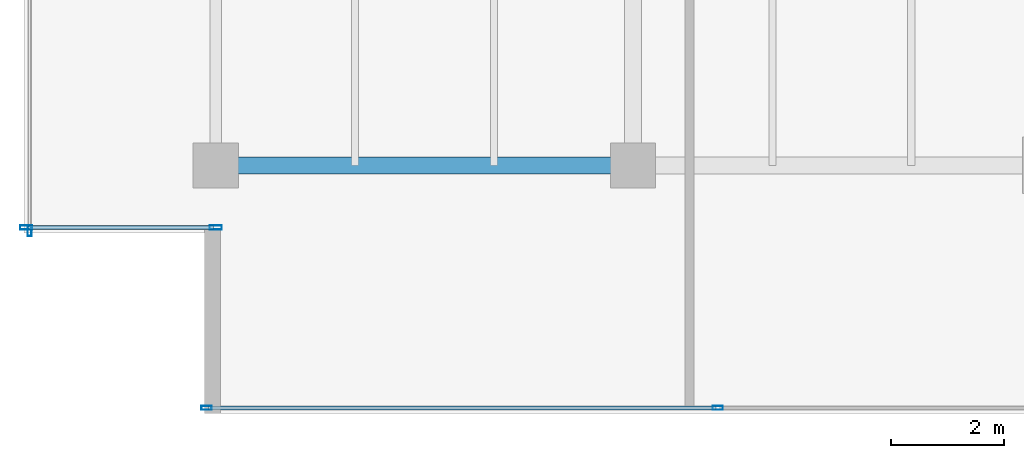
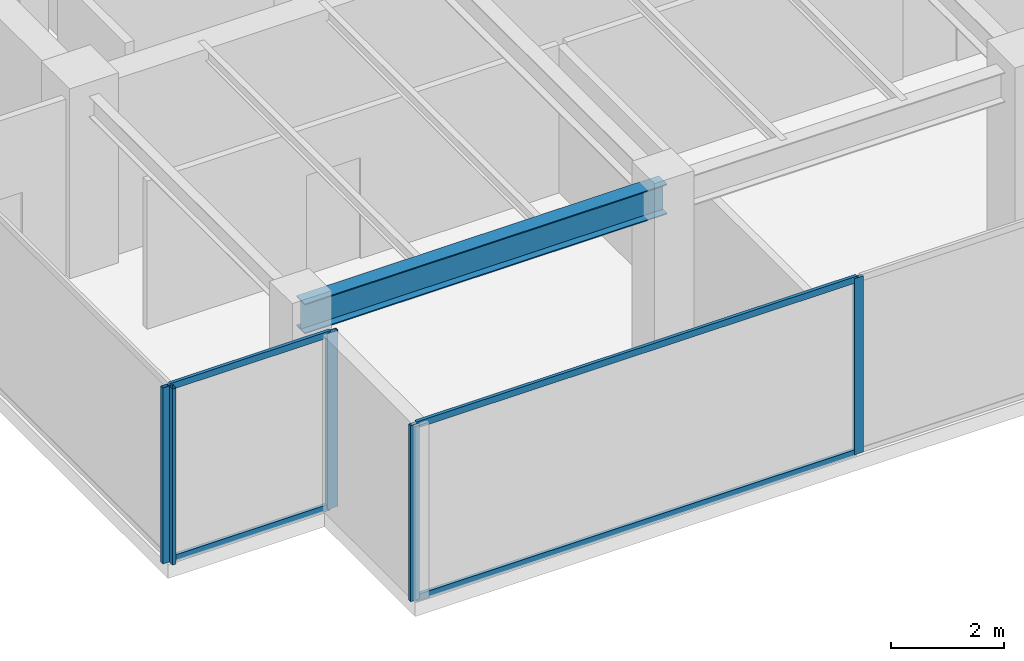
# One storey, part 5 of 33: 9 members, 1 beam, 3 elements without a shape of their own.
"""IFC4 building model written with IfcOpenShell, lengths in metres."""

from ifc_helpers import new_model, si_unit, direction, frame, origin, origin_2d, place, context, subcontext, project, spatial, hollow_rectangle, i_section, extrude, source, transform, mapped, material, layer, layer_set, material_profile, profile_set, type_object, type_shapes, element, aggregate, save


model = new_model("IFC4")

# Units and contexts
model_context = context("Model", 3, precision=1e-05, world=origin(), true_north=direction((0.0, 1.0)))
body_context = subcontext(model_context, "Body", "Model", "MODEL_VIEW")
ifc_project = project(units=[si_unit("LENGTHUNIT", "METRE"), si_unit("AREAUNIT", "SQUARE_METRE"), si_unit("VOLUMEUNIT", "CUBIC_METRE"), si_unit("PLANEANGLEUNIT", "RADIAN"), si_unit("MASSUNIT", "GRAM", prefix="KILO")], contexts=[model_context])

# Site, building, storey
site_placement = place(None, origin())
site = spatial("IfcSite", under=ifc_project, at=site_placement, CompositionType="ELEMENT")
building_placement = place(site_placement, origin())
building = spatial("IfcBuilding", under=site, at=building_placement, Name="Haelvirn Gate Laboratories", CompositionType="ELEMENT")
storey_placement = place(building_placement, frame((0.0, 0.0, 279.300048828125)))
storey = spatial("IfcBuildingStorey", under=building, at=storey_placement, Name="L67", CompositionType="ELEMENT", Elevation=279.300048828125)

# Beam
ifc_material_1 = material(Name="Steel SM355", Category="steel")
ifc_material_profile_1 = material_profile(ifc_material_1, i_section(OverallWidth=0.300048828125, OverallDepth=0.64990234375, WebThickness=0.012939453125, FlangeThickness=0.02197265625, at=origin_2d()), Name="H-650x300x13x22")
ifc_profile_set_1 = profile_set([ifc_material_profile_1], Name="Steel SM355")
beam_type = type_object("IfcBeamType", Name="BM-G-650", PredefinedType="BEAM", material=ifc_profile_set_1)
shared_shape_1 = source(origin(), body_context, "Body", "SweptSolid", [
    extrude(i_section(OverallWidth=0.300048828125, OverallDepth=0.64990234375, WebThickness=0.012939453125, FlangeThickness=0.02197265625, at=origin_2d()), origin(), (0.0, 0.0, 1.0), 7.400146484375),
])
type_shapes(beam_type, [shared_shape_1])
beam_placement = place(storey_placement, frame((7.39990234375, 7.0, 3.474853515625), z_axis=(1.0, 0.0, 0.0), x_axis=(0.0, 1.0, 0.0)))
element("IfcBeam", 1, at=beam_placement, inside=storey, type_object=beam_type, Name="L67 Primary Girder Y7.0 (7.4-14.8)", PredefinedType="BEAM", context=body_context, shape_type="MappedRepresentation", body=[
    mapped(shared_shape_1, transform((0.0, 0.0, 0.0), scale=1.0)),
])

# Curtain wall, members
ifc_material_2 = material(Name="Anodised bronze unitised aluminium & triple low-E glass", Category="aluminium")
ifc_layer_1 = layer(ifc_material_2, 0.181884765625, Name="CW-SYS-5")
ifc_layer_set_1 = layer_set([ifc_layer_1], Name="Anodised bronze unitised aluminium & triple low-E glass")
curtain_wall_type_1 = type_object("IfcCurtainWallType", Name="CW-SYS-5", PredefinedType="NOTDEFINED", material=ifc_layer_set_1)
curtain_wall_1_placement = place(storey_placement, origin())
curtain_wall_1 = element("IfcCurtainWall", 2, at=curtain_wall_1_placement, inside=storey, type_object=curtain_wall_type_1, Name="L67 Unitised Curtain Wall CW-L67-P0-E18-1", PredefinedType="NOTDEFINED")
ifc_material_3 = material(Name="Extruded aluminium 6063-T6 (anodised bronze)", Category="aluminium")
ifc_material_profile_2 = material_profile(ifc_material_3, hollow_rectangle(XDim=0.06494140625, YDim=0.139892578125, WallThickness=0.00390625, at=origin_2d()), Name="CWT-140x65x4")
ifc_profile_set_2 = profile_set([ifc_material_profile_2], Name="Extruded aluminium 6063-T6 (anodised bronze)")
member_type_1 = type_object("IfcMemberType", Name="CWT-T140", PredefinedType="USERDEFINED", material=ifc_profile_set_2)
shared_shape_2 = source(origin(), body_context, "Body", "SweptSolid", [
    extrude(hollow_rectangle(XDim=0.06494140625, YDim=0.139892578125, WallThickness=0.00390625, at=origin_2d()), origin(), (0.0, 0.0, 1.0), 3.280029296875),
])
member_1_placement = place(storey_placement, frame((4.080078125, 5.89990234375, 0.032470703125), z_axis=(1.0, 0.0, 0.0), x_axis=(0.0, 1.0, 0.0)))
member_1 = element("IfcMember", 3, at=member_1_placement, type_object=member_type_1, Name="CW5 transom 1.1", ObjectType="TRANSOM", PredefinedType="USERDEFINED", context=body_context, shape_type="MappedRepresentation", body=[
    mapped(shared_shape_2, transform((0.0, 0.0, 0.0), scale=1.0)),
])
member_2_placement = place(storey_placement, frame((4.080078125, 5.89990234375, 3.767333984375), z_axis=(1.0, 0.0, 0.0), x_axis=(0.0, 1.0, 0.0)))
member_2 = element("IfcMember", 4, at=member_2_placement, type_object=member_type_1, Name="CW5 transom 1.2", ObjectType="TRANSOM", PredefinedType="USERDEFINED", context=body_context, shape_type="MappedRepresentation", body=[
    mapped(shared_shape_2, transform((0.0, 0.0, 0.0), scale=1.0)),
])

ifc_layer_2 = layer(ifc_material_2, 0.176025390625, Name="CW-SYS-4")
ifc_layer_set_2 = layer_set([ifc_layer_2], Name="Anodised bronze unitised aluminium & triple low-E glass")
curtain_wall_type_2 = type_object("IfcCurtainWallType", Name="CW-SYS-4", PredefinedType="NOTDEFINED", material=ifc_layer_set_2)
curtain_wall_2_placement = place(storey_placement, origin())
curtain_wall_2 = element("IfcCurtainWall", 5, at=curtain_wall_2_placement, inside=storey, type_object=curtain_wall_type_2, Name="L67 Unitised Curtain Wall CW-L67-P0-E00-1", PredefinedType="NOTDEFINED")
ifc_material_profile_3 = material_profile(ifc_material_3, hollow_rectangle(XDim=0.070068359375, YDim=0.179931640625, WallThickness=0.0048828125, at=origin_2d()), Name="CWM-180x70x5")
ifc_profile_set_3 = profile_set([ifc_material_profile_3], Name="Extruded aluminium 6063-T6 (anodised bronze)")
member_type_2 = type_object("IfcMemberType", Name="CWM-T180", PredefinedType="MULLION", material=ifc_profile_set_3)
shared_shape_3 = source(origin(), body_context, "Body", "SweptSolid", [
    extrude(hollow_rectangle(XDim=0.070068359375, YDim=0.179931640625, WallThickness=0.0048828125, at=origin_2d()), origin(), (0.0, 0.0, 1.0), 3.800048828125),
])
type_shapes(member_type_2, [shared_shape_3])
member_3_placement = place(storey_placement, frame((7.235107421875, 2.699951171875, 0.0), z_axis=(0.0, 0.0, 1.0), x_axis=(0.0, 1.0, 0.0)))
member_3 = element("IfcMember", 6, at=member_3_placement, type_object=member_type_2, Name="CW4 mullion 1", PredefinedType="MULLION", context=body_context, shape_type="MappedRepresentation", body=[
    mapped(shared_shape_3, transform((0.0, 0.0, 0.0), scale=1.0)),
])
member_4_placement = place(storey_placement, frame((16.300048828125, 2.699951171875, 0.0), z_axis=(0.0, 0.0, 1.0), x_axis=(0.0, 1.0, 0.0)))
member_4 = element("IfcMember", 7, at=member_4_placement, type_object=member_type_2, Name="CW4 mullion 2", PredefinedType="MULLION", context=body_context, shape_type="MappedRepresentation", body=[
    mapped(shared_shape_3, transform((0.0, 0.0, 0.0), scale=1.0)),
])

# Curtain wall, member
curtain_wall_3_placement = place(storey_placement, origin())
curtain_wall_3 = element("IfcCurtainWall", 8, at=curtain_wall_3_placement, inside=storey, type_object=curtain_wall_type_2, Name="L67 Unitised Curtain Wall CW-L67-P0-E17", PredefinedType="NOTDEFINED")
member_5_placement = place(storey_placement, frame((4.10009765625, 5.8349609375, 0.0), z_axis=(0.0, 0.0, 1.0), x_axis=(1.0, 0.0, 0.0)))
member_5 = element("IfcMember", 9, at=member_5_placement, type_object=member_type_2, Name="CW4 mullion 3", PredefinedType="MULLION", context=body_context, shape_type="MappedRepresentation", body=[
    mapped(shared_shape_3, transform((0.0, 0.0, 0.0), scale=1.0)),
])
aggregate(curtain_wall_3, [member_5])

# Member
shared_shape_4 = source(origin(), body_context, "Body", "SweptSolid", [
    extrude(hollow_rectangle(XDim=0.06494140625, YDim=0.139892578125, WallThickness=0.00390625, at=origin_2d()), origin(), (0.0, 0.0, 1.0), 8.994873046875),
])
type_shapes(member_type_1, [shared_shape_2, shared_shape_4])
member_6_placement = place(storey_placement, frame((7.27001953125, 2.699951171875, 0.032470703125), z_axis=(1.0, 0.0, 0.0), x_axis=(0.0, 1.0, 0.0)))
member_6 = element("IfcMember", 10, at=member_6_placement, type_object=member_type_1, Name="CW4 transom 1.1", ObjectType="TRANSOM", PredefinedType="USERDEFINED", context=body_context, shape_type="MappedRepresentation", body=[
    mapped(shared_shape_4, transform((0.0, 0.0, 0.0), scale=1.0)),
])

member_7_placement = place(storey_placement, frame((7.27001953125, 2.699951171875, 3.767333984375), z_axis=(1.0, 0.0, 0.0), x_axis=(0.0, 1.0, 0.0)))
member_7 = element("IfcMember", 11, at=member_7_placement, type_object=member_type_1, Name="CW4 transom 1.2", ObjectType="TRANSOM", PredefinedType="USERDEFINED", context=body_context, shape_type="MappedRepresentation", body=[
    mapped(shared_shape_4, transform((0.0, 0.0, 0.0), scale=1.0)),
])

aggregate(curtain_wall_2, [member_3, member_4, member_6, member_7])

ifc_material_profile_4 = material_profile(ifc_material_3, hollow_rectangle(XDim=0.080078125, YDim=0.219970703125, WallThickness=0.006103515625, at=origin_2d()), Name="CWM-220x80x6")
ifc_profile_set_4 = profile_set([ifc_material_profile_4], Name="Extruded aluminium 6063-T6 (anodised bronze)")
member_type_3 = type_object("IfcMemberType", Name="CWM-T220", PredefinedType="MULLION", material=ifc_profile_set_4)
shared_shape_5 = source(origin(), body_context, "Body", "SweptSolid", [
    extrude(hollow_rectangle(XDim=0.080078125, YDim=0.219970703125, WallThickness=0.006103515625, at=origin_2d()), origin(), (0.0, 0.0, 1.0), 3.800048828125),
])
type_shapes(member_type_3, [shared_shape_5])
member_8_placement = place(storey_placement, frame((4.0400390625, 5.89990234375, 0.0), z_axis=(0.0, 0.0, 1.0), x_axis=(0.0, 1.0, 0.0)))
member_8 = element("IfcMember", 12, at=member_8_placement, type_object=member_type_3, Name="CW5 mullion 1", PredefinedType="MULLION", context=body_context, shape_type="MappedRepresentation", body=[
    mapped(shared_shape_5, transform((0.0, 0.0, 0.0), scale=1.0)),
])

member_9_placement = place(storey_placement, frame((7.39990234375, 5.89990234375, 0.0), z_axis=(0.0, 0.0, 1.0), x_axis=(0.0, 1.0, 0.0)))
member_9 = element("IfcMember", 13, at=member_9_placement, type_object=member_type_3, Name="CW5 mullion 2", PredefinedType="MULLION", context=body_context, shape_type="MappedRepresentation", body=[
    mapped(shared_shape_5, transform((0.0, 0.0, 0.0), scale=1.0)),
])

aggregate(curtain_wall_1, [member_8, member_9, member_1, member_2])

save(model, "model.ifc")
